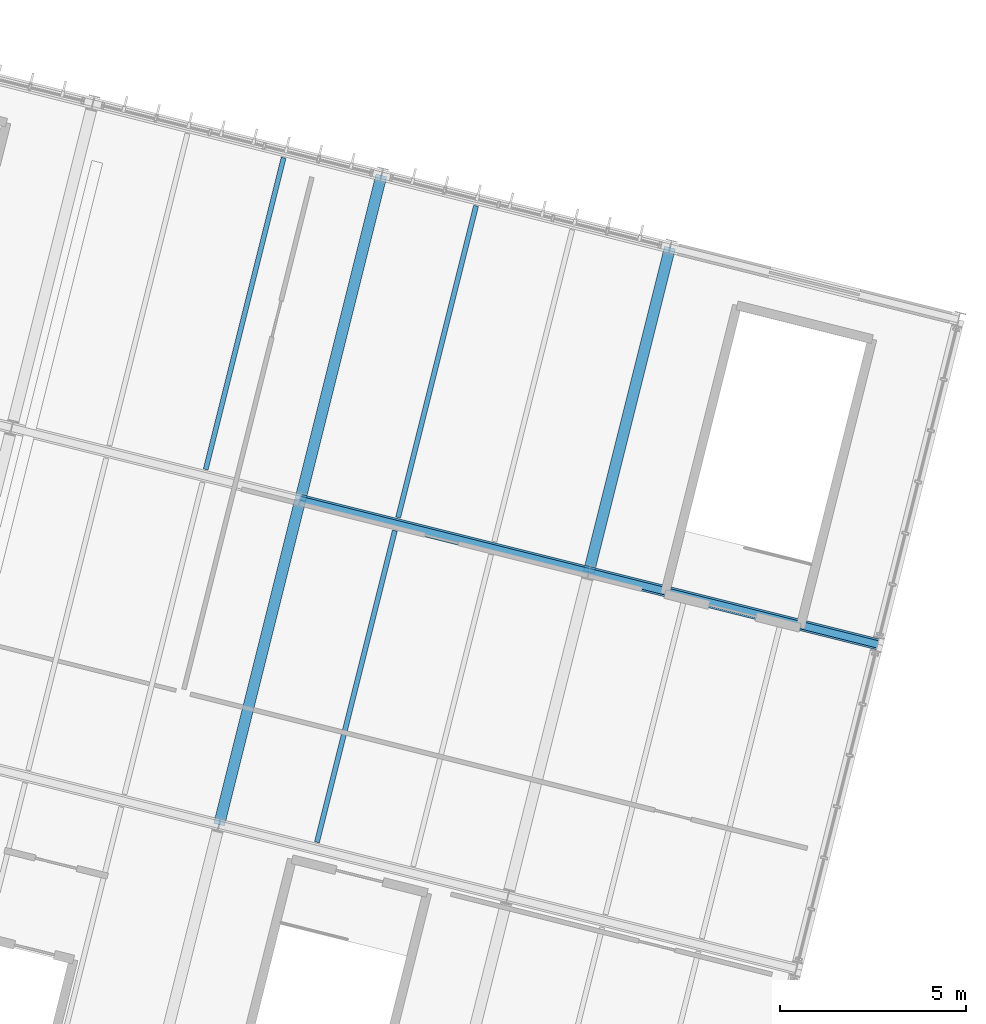
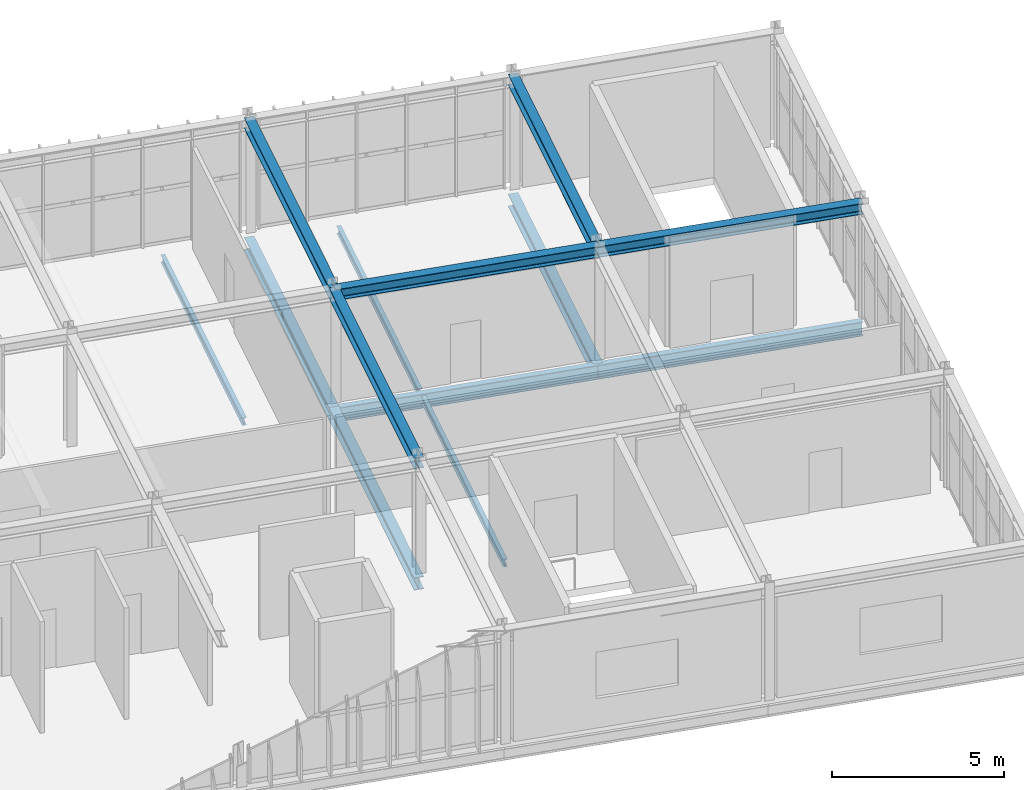
# One storey, part 13 of 30: 13 beams.
"""IFC4 building model written with IfcOpenShell, lengths in metres."""

from ifc_helpers import new_model, si_unit, derived_unit, direction, frame, origin, origin_2d, place, context, subcontext, project, spatial, i_section, extrude, material, material_profile, profile_set, type_object, element, save


model = new_model("IFC4")

# Units and contexts
model_context = context("Model", 3, precision=1e-05, world=origin(), true_north=direction((0.0, 1.0)))
body_context = subcontext(model_context, "Body", "Model", "MODEL_VIEW")
ifc_project = project(units=[si_unit("LENGTHUNIT", "METRE"), si_unit("AREAUNIT", "SQUARE_METRE"), si_unit("VOLUMEUNIT", "CUBIC_METRE"), si_unit("PLANEANGLEUNIT", "RADIAN"), si_unit("MASSUNIT", "GRAM", prefix="KILO"), si_unit("THERMODYNAMICTEMPERATUREUNIT", "KELVIN"), si_unit("TIMEUNIT", "SECOND"), derived_unit("THERMALTRANSMITTANCEUNIT", [(si_unit("MASSUNIT", "GRAM", prefix="KILO"), 1), (si_unit("THERMODYNAMICTEMPERATUREUNIT", "KELVIN"), -1), (si_unit("TIMEUNIT", "SECOND"), -3)])], contexts=[model_context])

# Site, building, storey
site_placement = place(None, origin())
site = spatial("IfcSite", under=ifc_project, at=site_placement, CompositionType="ELEMENT")
building_placement = place(site_placement, origin())
building = spatial("IfcBuilding", under=site, at=building_placement, Name="Cambertide Market Hall", CompositionType="ELEMENT")
storey_placement = place(building_placement, frame((0.0, 0.0, 14.10009765625)))
storey = spatial("IfcBuildingStorey", under=building, at=storey_placement, Name="L04", CompositionType="ELEMENT", Elevation=14.10009765625)

# Beams
ifc_material_1 = material(Name="Steel S355", Category="steel")
ifc_material_profile_1 = material_profile(ifc_material_1, i_section(OverallWidth=0.300048828125, OverallDepth=0.389892578125, WebThickness=0.010986328125, FlangeThickness=0.01904296875, FilletRadius=0.027099609375, at=origin_2d()), Name="HEA 400")
ifc_profile_set_1 = profile_set([ifc_material_profile_1], Name="Steel S355")
beam_type_1 = type_object("IfcBeamType", Name="Exterior Steel Girder HEA 400", PredefinedType="BEAM", material=ifc_profile_set_1)
beam_1_placement = place(storey_placement, frame((158.932373046875, 105.82080078125, 3.804931640625), z_axis=(0.970146090314, -0.242521263911, 0.0), x_axis=(0.242521263911, 0.970146090314, 0.0)))
element("IfcBeam", 1, at=beam_1_placement, inside=storey, type_object=beam_type_1, Name="Level 4 Beam BM-V4U-RF-7-3", PredefinedType="BEAM", context=body_context, shape_type="SweptSolid", body=[
    extrude(i_section(OverallWidth=0.300048828125, OverallDepth=0.389892578125, WebThickness=0.010986328125, FlangeThickness=0.01904296875, FilletRadius=0.027099609375, at=origin_2d()), origin(), (0.0, 0.0, 1.0), 8.0),
])
beam_2_placement = place(storey_placement, frame((166.693603515625, 103.880615234375, 3.804931640625), z_axis=(0.970138909791, -0.242549986002, 0.0), x_axis=(0.242549986002, 0.970138909791, 0.0)))
element("IfcBeam", 2, at=beam_2_placement, inside=storey, type_object=beam_type_1, Name="Level 4 Beam BM-V4U-RF-8-3", PredefinedType="BEAM", context=body_context, shape_type="SweptSolid", body=[
    extrude(i_section(OverallWidth=0.300048828125, OverallDepth=0.389892578125, WebThickness=0.010986328125, FlangeThickness=0.01904296875, FilletRadius=0.027099609375, at=origin_2d()), origin(), (0.0, 0.0, 1.0), 8.000244140625),
])
beam_3_placement = place(storey_placement, frame((156.749755859375, 97.089599609375, 3.804931640625), z_axis=(0.242516476432, 0.970147287096, 0.0), x_axis=(-0.970147287096, 0.242516476432, 0.0)))
element("IfcBeam", 3, at=beam_3_placement, inside=storey, type_object=beam_type_1, Name="Level 4 Beam BM-V4V-RF-7-2", PredefinedType="BEAM", context=body_context, shape_type="SweptSolid", body=[
    extrude(i_section(OverallWidth=0.300048828125, OverallDepth=0.389892578125, WebThickness=0.010986328125, FlangeThickness=0.01904296875, FilletRadius=0.027099609375, at=origin_2d()), origin(), (0.0, 0.0, 1.0), 8.999755859375),
])
beam_4_placement = place(storey_placement, frame((158.932373046875, 105.82080078125, 3.804931640625), z_axis=(0.242535625036, 0.970142500145, 0.0), x_axis=(-0.970142500145, 0.242535625036, 0.0)))
element("IfcBeam", 4, at=beam_4_placement, inside=storey, type_object=beam_type_1, Name="Level 4 Beam BM-V4V-RF-7-3", PredefinedType="BEAM", context=body_context, shape_type="SweptSolid", body=[
    extrude(i_section(OverallWidth=0.300048828125, OverallDepth=0.389892578125, WebThickness=0.010986328125, FlangeThickness=0.01904296875, FilletRadius=0.027099609375, at=origin_2d()), origin(), (0.0, 0.0, 1.0), 9.000244140625),
])
beam_5_placement = place(storey_placement, frame((166.693603515625, 103.880615234375, 3.804931640625), z_axis=(0.242542007841, 0.970140904422, 0.0), x_axis=(-0.970140904422, 0.242542007841, 0.0)))
element("IfcBeam", 5, at=beam_5_placement, inside=storey, type_object=beam_type_1, Name="Level 4 Beam BM-V4V-RF-8-3", PredefinedType="BEAM", context=body_context, shape_type="SweptSolid", body=[
    extrude(i_section(OverallWidth=0.300048828125, OverallDepth=0.389892578125, WebThickness=0.010986328125, FlangeThickness=0.01904296875, FilletRadius=0.027099609375, at=origin_2d()), origin(), (0.0, 0.0, 1.0), 9.0),
])
ifc_material_2 = material(Name="Steel S355", Category="steel")
ifc_material_profile_2 = material_profile(ifc_material_2, i_section(OverallWidth=0.300048828125, OverallDepth=0.449951171875, WebThickness=0.013916015625, FlangeThickness=0.02587890625, FilletRadius=0.027099609375, at=origin_2d()), Name="HEB 450")
ifc_profile_set_2 = profile_set([ifc_material_profile_2], Name="Steel S355")
beam_type_2 = type_object("IfcBeamType", Name="Steel Girder HEB 450", PredefinedType="BEAM", material=ifc_profile_set_2)
beam_6_placement = place(storey_placement, frame((156.749755859375, 97.089599609375, -0.47998046875), z_axis=(0.242516476432, 0.970147287096, 0.0), x_axis=(-0.970147287096, 0.242516476432, 0.0)))
element("IfcBeam", 6, at=beam_6_placement, inside=storey, type_object=beam_type_2, Name="Level 4 Beam BM-V4V-L04-7-2", PredefinedType="BEAM", context=body_context, shape_type="SweptSolid", body=[
    extrude(i_section(OverallWidth=0.300048828125, OverallDepth=0.449951171875, WebThickness=0.013916015625, FlangeThickness=0.02587890625, FilletRadius=0.027099609375, at=origin_2d()), origin(), (0.0, 0.0, 1.0), 8.999755859375),
])
beam_7_placement = place(storey_placement, frame((158.932373046875, 105.82080078125, -0.47998046875), z_axis=(0.242535625036, 0.970142500145, 0.0), x_axis=(-0.970142500145, 0.242535625036, 0.0)))
element("IfcBeam", 7, at=beam_7_placement, inside=storey, type_object=beam_type_2, Name="Level 4 Beam BM-V4V-L04-7-3", PredefinedType="BEAM", context=body_context, shape_type="SweptSolid", body=[
    extrude(i_section(OverallWidth=0.300048828125, OverallDepth=0.449951171875, WebThickness=0.013916015625, FlangeThickness=0.02587890625, FilletRadius=0.027099609375, at=origin_2d()), origin(), (0.0, 0.0, 1.0), 9.000244140625),
])
beam_8_placement = place(storey_placement, frame((166.693603515625, 103.880615234375, -0.47998046875), z_axis=(0.242542007841, 0.970140904422, 0.0), x_axis=(-0.970140904422, 0.242542007841, 0.0)))
element("IfcBeam", 8, at=beam_8_placement, inside=storey, type_object=beam_type_2, Name="Level 4 Beam BM-V4V-L04-8-3", PredefinedType="BEAM", context=body_context, shape_type="SweptSolid", body=[
    extrude(i_section(OverallWidth=0.300048828125, OverallDepth=0.449951171875, WebThickness=0.013916015625, FlangeThickness=0.02587890625, FilletRadius=0.027099609375, at=origin_2d()), origin(), (0.0, 0.0, 1.0), 9.0),
])
ifc_material_3 = material(Name="Steel S355", Category="steel")
ifc_material_profile_3 = material_profile(ifc_material_3, i_section(OverallWidth=0.199951171875, OverallDepth=0.5, WebThickness=0.01025390625, FlangeThickness=0.01611328125, FilletRadius=0.02099609375, at=origin_2d()), Name="IPE 500")
ifc_profile_set_3 = profile_set([ifc_material_profile_3], Name="Steel S355")
beam_type_3 = type_object("IfcBeamType", Name="Steel Girder IPE 500", PredefinedType="BEAM", material=ifc_profile_set_3)
beam_9_placement = place(storey_placement, frame((158.932373046875, 105.82080078125, -0.505126953125), z_axis=(0.970146090314, -0.242521263911, 0.0), x_axis=(0.242521263911, 0.970146090314, 0.0)))
element("IfcBeam", 9, at=beam_9_placement, inside=storey, type_object=beam_type_3, Name="Level 4 Beam BM-V4U-L04-7-3", PredefinedType="BEAM", context=body_context, shape_type="SweptSolid", body=[
    extrude(i_section(OverallWidth=0.199951171875, OverallDepth=0.5, WebThickness=0.01025390625, FlangeThickness=0.01611328125, FilletRadius=0.02099609375, at=origin_2d()), origin(), (0.0, 0.0, 1.0), 8.0),
])
beam_10_placement = place(storey_placement, frame((166.693603515625, 103.880615234375, -0.505126953125), z_axis=(0.970138909791, -0.242549986002, 0.0), x_axis=(0.242549986002, 0.970138909791, 0.0)))
element("IfcBeam", 10, at=beam_10_placement, inside=storey, type_object=beam_type_3, Name="Level 4 Beam BM-V4U-L04-8-3", PredefinedType="BEAM", context=body_context, shape_type="SweptSolid", body=[
    extrude(i_section(OverallWidth=0.199951171875, OverallDepth=0.5, WebThickness=0.01025390625, FlangeThickness=0.01611328125, FilletRadius=0.02099609375, at=origin_2d()), origin(), (0.0, 0.0, 1.0), 8.000244140625),
])
ifc_material_4 = material(Name="Steel S275", Category="steel")
ifc_material_profile_4 = material_profile(ifc_material_4, i_section(OverallWidth=0.135009765625, OverallDepth=0.27001953125, WebThickness=0.006591796875, FlangeThickness=0.01025390625, FilletRadius=0.014892578125, at=origin_2d()), Name="IPE 270")
ifc_profile_set_4 = profile_set([ifc_material_profile_4], Name="Steel S275")
beam_type_4 = type_object("IfcBeamType", Name="Steel Secondary Joist IPE 270", PredefinedType="JOIST", material=ifc_profile_set_4)
beam_11_placement = place(storey_placement, frame((156.38916015625, 106.642333984375, -0.39013671875), z_axis=(0.242535625036, 0.970142500145, 0.0), x_axis=(-0.970142500145, 0.242535625036, 0.0)))
element("IfcBeam", 11, at=beam_11_placement, inside=storey, type_object=beam_type_4, Name="Level 4 Joist JS-V4-L04-6-3-2", PredefinedType="JOIST", context=body_context, shape_type="SweptSolid", body=[
    extrude(i_section(OverallWidth=0.135009765625, OverallDepth=0.27001953125, WebThickness=0.006591796875, FlangeThickness=0.01025390625, FilletRadius=0.014892578125, at=origin_2d()), origin(), (0.0, 0.0, 1.0), 8.639892578125),
])
for number, where, z_axis, x_axis, name in (
    (12, (159.38037109375, 96.617431640625, -0.39013671875), (0.242528976348, 0.970144162293, 0.0), (-0.970144162293, 0.242528976348, 0.0), "Level 4 Joist JS-V4-L04-7-2-1"),
    (13, (161.563232421875, 105.3486328125, -0.39013671875), (0.242528976348, 0.970144162293, 0.0), (-0.970144162293, 0.242528976348, 0.0), "Level 4 Joist JS-V4-L04-7-3-1"),
):
    element("IfcBeam", number, at=place(storey_placement, frame(where, z_axis=z_axis, x_axis=x_axis)), inside=storey, type_object=beam_type_4, Name=name, PredefinedType="JOIST", context=body_context, shape_type="SweptSolid", body=[
        extrude(i_section(OverallWidth=0.135009765625, OverallDepth=0.27001953125, WebThickness=0.006591796875, FlangeThickness=0.01025390625, FilletRadius=0.014892578125, at=origin_2d()), origin(), (0.0, 0.0, 1.0), 8.64013671875),
    ])

save(model, "model.ifc")
